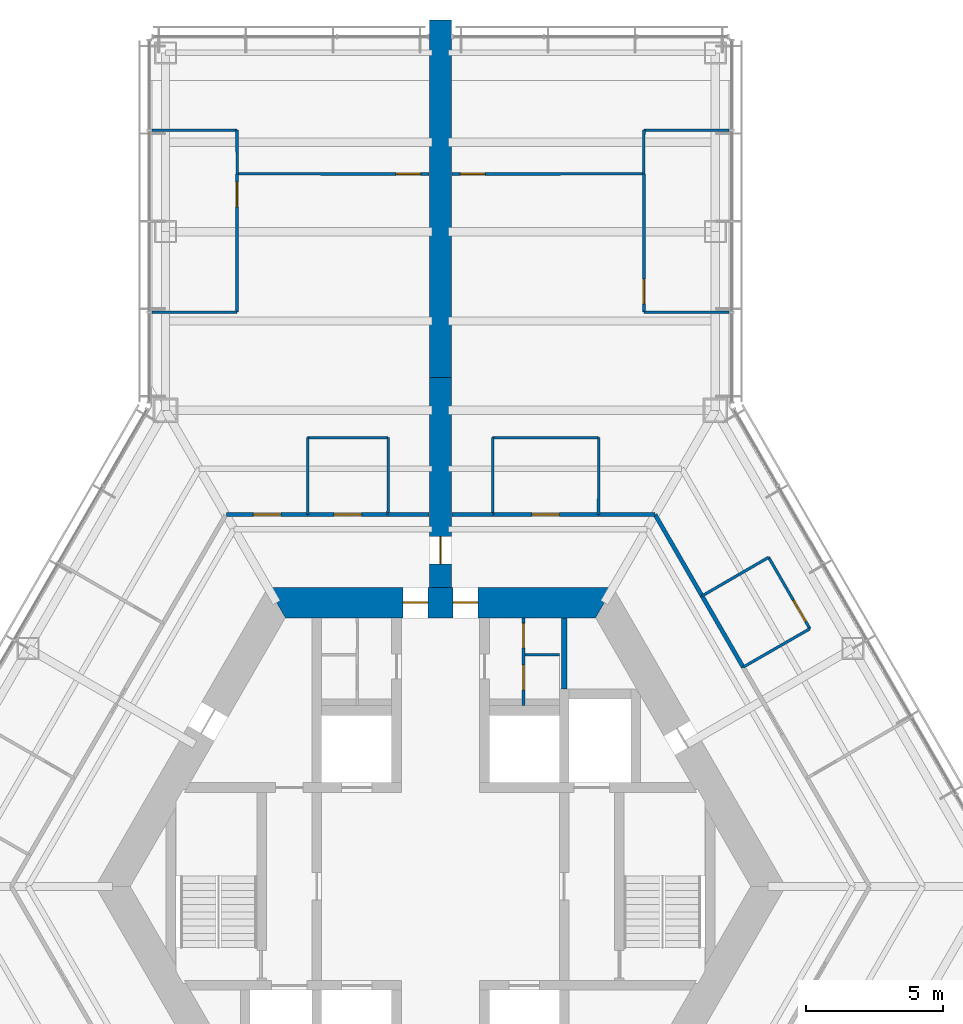
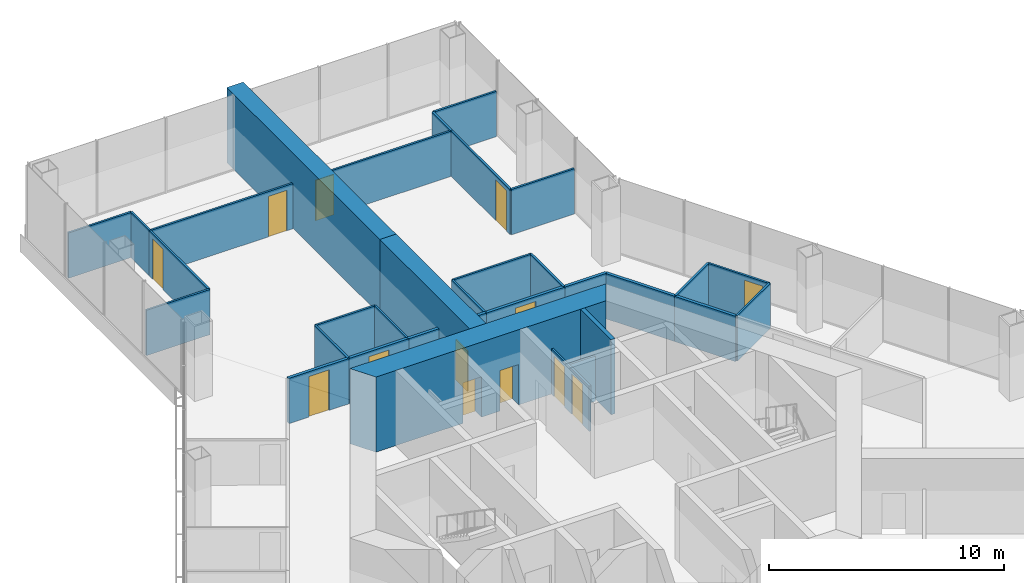
# One storey, part 15 of 18: 33 walls, 13 doors, 13 openings.
"""IFC4 building model written with IfcOpenShell, lengths in metres."""

from ifc_helpers import new_model, si_unit, direction, frame, frame_2d, origin, place, context, subcontext, project, spatial, polyline, rectangle, outline, extrude, material, layer, layer_set, type_object, element, fill, save


model = new_model("IFC4")

# Units and contexts
model_context = context("Model", 3, precision=1e-05, world=origin(), true_north=direction((0.0, 1.0)))
body_context = subcontext(model_context, "Body", "Model", "MODEL_VIEW")
ifc_project = project(units=[si_unit("LENGTHUNIT", "METRE"), si_unit("AREAUNIT", "SQUARE_METRE"), si_unit("VOLUMEUNIT", "CUBIC_METRE"), si_unit("PLANEANGLEUNIT", "RADIAN"), si_unit("MASSUNIT", "GRAM", prefix="KILO")], contexts=[model_context])

# Site, building, storey
site_placement = place(None, origin())
site = spatial("IfcSite", under=ifc_project, at=site_placement, CompositionType="ELEMENT")
building_placement = place(site_placement, origin())
building = spatial("IfcBuilding", under=site, at=building_placement, Name="Kasaneha Research Tower", CompositionType="ELEMENT")
storey_placement = place(building_placement, frame((0.0, 0.0, 119.699951171875)))
storey = spatial("IfcBuildingStorey", under=building, at=storey_placement, Name="L30", CompositionType="ELEMENT", Elevation=119.699951171875)

# Wall, openings, doors
ifc_material_1 = material(Name="Concrete Fc80", Category="concrete")
ifc_layer_1 = layer(ifc_material_1, 1.10009765625)
ifc_layer_set_1 = layer_set([ifc_layer_1], Name="Core wall 1100 Fc80")
wall_type_1 = type_object("IfcWallType", Name="Core wall 1100 Fc80", PredefinedType="SHEAR", material=ifc_layer_set_1)
wall_1_placement = place(storey_placement, frame((5.961181640625, 10.324951171875, 0.0), z_axis=(0.0, 0.0, 1.0), x_axis=(-1.0, 0.0, 0.0)))
wall_1 = element("IfcWall", 1, at=wall_1_placement, inside=storey, type_object=wall_type_1, Name="Core wall 090 L30", PredefinedType="SHEAR", context=body_context, shape_type="SweptSolid", body=[
    extrude(outline(polyline([(-0.317626953125, -0.550048828125), (4.5986328125, -0.550048828125), (5.49853515625, -0.550048828125), (6.423583984375, -0.550048828125), (7.323486328125, -0.550048828125), (12.239990234375, -0.550048828125), (11.604736328125, 0.550048828125), (7.323486328125, 0.550048828125), (6.423583984375, 0.550048828125), (5.49853515625, 0.550048828125), (4.5986328125, 0.550048828125), (0.317626953125, 0.550048828125), (-0.317626953125, -0.550048828125)])), origin(), (0.0, 0.0, 1.0), 3.900146484375),
])
opening_1_placement = place(wall_1_placement, frame((6.423583984375, 0.0, 0.0)))
opening_1 = element("IfcOpeningElement", 2, at=opening_1_placement, cuts=wall_1, Name="Opening L30-D01", PredefinedType="OPENING", context=body_context, shape_type="SweptSolid", body=[
    extrude(rectangle(XDim=0.89990234375, YDim=2.10009765625, at=frame_2d((0.449951171875, 1.050048828125))), frame((0.0, 0.56005859375, 0.0), z_axis=(0.0, -1.0, 0.0), x_axis=(1.0, 0.0, 0.0)), (0.0, 0.0, 1.0), 1.1201171875),
])
opening_2_placement = place(wall_1_placement, frame((4.5986328125, 0.0, 0.0)))
opening_2 = element("IfcOpeningElement", 3, at=opening_2_placement, cuts=wall_1, Name="Opening L30-D02", PredefinedType="OPENING", context=body_context, shape_type="SweptSolid", body=[
    extrude(rectangle(XDim=0.89990234375, YDim=2.10009765625, at=frame_2d((0.449951171875, 1.050048828125))), frame((0.0, 0.56005859375, 0.0), z_axis=(0.0, -1.0, 0.0), x_axis=(1.0, 0.0, 0.0)), (0.0, 0.0, 1.0), 1.1201171875),
])
ifc_material_2 = material(Name="Steel", Category="steel")
door_type_1 = type_object("IfcDoorType", Name="Toilet door FD20 900x2100", OperationType="NOTDEFINED", PredefinedType="DOOR", material=ifc_material_2)
door_1_placement = place(opening_1_placement, origin())
door_1 = element("IfcDoor", 4, at=door_1_placement, inside=storey, type_object=door_type_1, Name="Core door north 1 L30-D01", OperationType="SINGLE_SWING_RIGHT", OverallHeight=2.10009765625, OverallWidth=0.89990234375, PredefinedType="DOOR", context=body_context, shape_type="SweptSolid", body=[
    extrude(rectangle(XDim=0.89990234375, YDim=2.10009765625, at=frame_2d((0.449951171875, 1.050048828125))), frame((0.0, 0.02490234375, 0.0), z_axis=(0.0, -1.0, 0.0), x_axis=(1.0, 0.0, 0.0)), (0.0, 0.0, 1.0), 0.050048828125),
])
fill(opening_1, door_1)
door_2_placement = place(opening_2_placement, origin())
door_2 = element("IfcDoor", 5, at=door_2_placement, inside=storey, type_object=door_type_1, Name="Core door north 2 L30-D02", OperationType="SINGLE_SWING_LEFT", OverallHeight=2.10009765625, OverallWidth=0.89990234375, PredefinedType="DOOR", context=body_context, shape_type="SweptSolid", body=[
    extrude(rectangle(XDim=0.89990234375, YDim=2.10009765625, at=frame_2d((0.449951171875, 1.050048828125))), frame((0.0, 0.02490234375, 0.0), z_axis=(0.0, -1.0, 0.0), x_axis=(1.0, 0.0, 0.0)), (0.0, 0.0, 1.0), 0.050048828125),
])
fill(opening_2, door_2)

ifc_material_3 = material(Name="Gypsum board on steel studs, one layer each side", Category="steel")
ifc_layer_2 = layer(ifc_material_3, 0.10009765625)
ifc_layer_set_2 = layer_set([ifc_layer_2], Name="Office partition 100")
wall_type_2 = type_object("IfcWallType", Name="Office partition 100", PredefinedType="PARTITIONING", material=ifc_layer_set_2)
wall_2_placement = place(storey_placement, frame((3.02490234375, 6.574951171875, 0.0), z_axis=(0.0, 0.0, 1.0), x_axis=(0.0, 1.0, 0.0)))
wall_2 = element("IfcWall", 6, at=wall_2_placement, inside=storey, type_object=wall_type_2, Name="Office partition TBF1 L30", PredefinedType="PARTITIONING", context=body_context, shape_type="SweptSolid", body=[
    extrude(rectangle(XDim=3.199951171875, YDim=0.10009765625, at=frame_2d((1.60009765625, 0.0))), origin(), (0.0, 0.0, 1.0), 2.35009765625),
])
opening_3_placement = place(wall_2_placement, frame((0.574951171875, 0.0, 0.0)))
opening_3 = element("IfcOpeningElement", 7, at=opening_3_placement, cuts=wall_2, Name="Opening L30-D22", PredefinedType="OPENING", context=body_context, shape_type="SweptSolid", body=[
    extrude(rectangle(XDim=0.89990234375, YDim=2.10009765625, at=frame_2d((0.449951171875, 1.050048828125))), frame((0.0, 0.06005859375, 0.0), z_axis=(0.0, -1.0, 0.0), x_axis=(1.0, 0.0, 0.0)), (0.0, 0.0, 1.0), 0.1201171875),
])
opening_4_placement = place(wall_2_placement, frame((2.10009765625, 0.0, 0.0)))
opening_4 = element("IfcOpeningElement", 8, at=opening_4_placement, cuts=wall_2, Name="Opening L30-D23", PredefinedType="OPENING", context=body_context, shape_type="SweptSolid", body=[
    extrude(rectangle(XDim=0.89990234375, YDim=2.10009765625, at=frame_2d((0.449951171875, 1.050048828125))), frame((0.0, 0.06005859375, 0.0), z_axis=(0.0, -1.0, 0.0), x_axis=(1.0, 0.0, 0.0)), (0.0, 0.0, 1.0), 0.1201171875),
])
ifc_material_4 = material(Name="Steel", Category="steel")
door_type_2 = type_object("IfcDoorType", Name="Toilet lobby door FD30 900x2100", OperationType="NOTDEFINED", PredefinedType="DOOR", material=ifc_material_4)
door_3_placement = place(opening_3_placement, origin())
door_3 = element("IfcDoor", 9, at=door_3_placement, inside=storey, type_object=door_type_2, Name="Women's WC door L30-D22", OperationType="SINGLE_SWING_RIGHT", OverallHeight=2.10009765625, OverallWidth=0.89990234375, PredefinedType="DOOR", context=body_context, shape_type="SweptSolid", body=[
    extrude(rectangle(XDim=0.89990234375, YDim=2.10009765625, at=frame_2d((0.449951171875, 1.050048828125))), frame((0.0, 0.02490234375, 0.0), z_axis=(0.0, -1.0, 0.0), x_axis=(1.0, 0.0, 0.0)), (0.0, 0.0, 1.0), 0.050048828125),
])
fill(opening_3, door_3)
door_4_placement = place(opening_4_placement, origin())
door_4 = element("IfcDoor", 10, at=door_4_placement, inside=storey, type_object=door_type_2, Name="Parents' room door L30-D23", OperationType="SINGLE_SWING_RIGHT", OverallHeight=2.10009765625, OverallWidth=0.89990234375, PredefinedType="DOOR", context=body_context, shape_type="SweptSolid", body=[
    extrude(rectangle(XDim=0.89990234375, YDim=2.10009765625, at=frame_2d((0.449951171875, 1.050048828125))), frame((0.0, 0.02490234375, 0.0), z_axis=(0.0, -1.0, 0.0), x_axis=(1.0, 0.0, 0.0)), (0.0, 0.0, 1.0), 0.050048828125),
])
fill(opening_4, door_4)

# Walls
wall_3_placement = place(storey_placement, frame((3.074951171875, 8.425048828125, 0.0), z_axis=(0.0, 0.0, 1.0), x_axis=(1.0, 0.0, 0.0)))
element("IfcWall", 11, at=wall_3_placement, inside=storey, type_object=wall_type_2, Name="Office partition TBF2 L30", PredefinedType="PARTITIONING", context=body_context, shape_type="SweptSolid", body=[
    extrude(rectangle(XDim=1.25, YDim=0.10009765625, at=frame_2d((0.625, 0.0))), origin(), (0.0, 0.0, 1.0), 2.35009765625),
])
wall_4_placement = place(storey_placement, frame((1.89990234375, 16.324951171875, 0.0), z_axis=(0.0, 0.0, 1.0), x_axis=(1.0, 0.0, 0.0)))
element("IfcWall", 12, at=wall_4_placement, inside=storey, type_object=wall_type_2, Name="Office partition FAE08 L30", PredefinedType="PARTITIONING", context=body_context, shape_type="SweptSolid", body=[
    extrude(rectangle(XDim=3.857177734375, YDim=0.10009765625, at=frame_2d((1.9287109375, 0.0))), origin(), (0.0, 0.0, 1.0), 2.35009765625),
])
for number, where, z_axis, x_axis, name in (
    (13, (1.904541015625, 13.52490234375, 0.0), (0.0, 0.0, 1.0), (-0.001656637364, 0.999998627775, 0.0), "Office partition FAE09 L30"),
    (14, (5.757080078125, 16.324951171875, 0.0), (0.0, 0.0, 1.0), (-0.001656637364, -0.999998627775, 0.0), "Office partition FAE10 L30"),
    (15, (9.51513671875, 10.569091796875, 0.0), (0.0, 0.0, 1.0), (0.865255114713, 0.501331812737, 0.0), "Office partition FAE11 L30"),
):
    element("IfcWall", number, at=place(storey_placement, frame(where, z_axis=z_axis, x_axis=x_axis)), inside=storey, type_object=wall_type_2, Name=name, PredefinedType="PARTITIONING", context=body_context, shape_type="SweptSolid", body=[
        extrude(rectangle(XDim=2.800048828125, YDim=0.10009765625, at=frame_2d((1.39990234375, 0.0))), origin(), (0.0, 0.0, 1.0), 2.35009765625),
    ])

# Wall, opening, door
wall_5_placement = place(storey_placement, frame((11.93798828125, 11.972900390625, 0.0), z_axis=(0.0, 0.0, 1.0), x_axis=(0.50002537861, -0.866010750942, 0.0)))
wall_5 = element("IfcWall", 16, at=wall_5_placement, inside=storey, type_object=wall_type_2, Name="Office partition FAE12 L30", PredefinedType="PARTITIONING", context=body_context, shape_type="SweptSolid", body=[
    extrude(rectangle(XDim=2.999755859375, YDim=0.10009765625, at=frame_2d((1.5, 0.0))), origin(), (0.0, 0.0, 1.0), 2.35009765625),
])
opening_5_placement = place(wall_5_placement, frame((1.800048828125, 0.0, 0.0)))
opening_5 = element("IfcOpeningElement", 17, at=opening_5_placement, cuts=wall_5, Name="Opening L30-D26", PredefinedType="OPENING", context=body_context, shape_type="SweptSolid", body=[
    extrude(rectangle(XDim=0.89990234375, YDim=2.10009765625, at=frame_2d((0.449951171875, 1.050048828125))), frame((0.0, 0.06005859375, 0.0), z_axis=(0.0, -1.0, 0.0), x_axis=(1.0, 0.0, 0.0)), (0.0, 0.0, 1.0), 0.1201171875),
])
ifc_material_5 = material(Name="Timber veneer", Category="wood")
door_type_3 = type_object("IfcDoorType", Name="Office door 900x2100", OperationType="SINGLE_SWING_LEFT", PredefinedType="DOOR", material=ifc_material_5)
door_5_placement = place(opening_5_placement, origin())
door_5 = element("IfcDoor", 18, at=door_5_placement, inside=storey, type_object=door_type_3, Name="Pantry door L30-D26", OperationType="SINGLE_SWING_RIGHT", OverallHeight=2.10009765625, OverallWidth=0.89990234375, PredefinedType="DOOR", context=body_context, shape_type="SweptSolid", body=[
    extrude(rectangle(XDim=0.89990234375, YDim=2.10009765625, at=frame_2d((0.449951171875, 1.050048828125))), frame((0.0, 0.02490234375, 0.0), z_axis=(0.0, -1.0, 0.0), x_axis=(1.0, 0.0, 0.0)), (0.0, 0.0, 1.0), 0.050048828125),
])
fill(opening_5, door_5)

# Walls
wall_6_placement = place(storey_placement, frame((13.43798828125, 9.375, 0.0), z_axis=(0.0, 0.0, 1.0), x_axis=(-0.866817750494, -0.498625097071, 0.0)))
element("IfcWall", 19, at=wall_6_placement, inside=storey, type_object=wall_type_2, Name="Office partition FAE13 L30", PredefinedType="PARTITIONING", context=body_context, shape_type="SweptSolid", body=[
    extrude(rectangle(XDim=2.80029296875, YDim=0.10009765625, at=frame_2d((1.400146484375, 0.0))), origin(), (0.0, 0.0, 1.0), 2.35009765625),
])
wall_7_placement = place(storey_placement, frame((7.39990234375, 27.5107421875, 0.0), z_axis=(0.0, 0.0, 1.0), x_axis=(-0.003068411453, -0.999995292414, 0.0)))
element("IfcWall", 20, at=wall_7_placement, inside=storey, type_object=wall_type_2, Name="Office partition FAE14 L30", PredefinedType="PARTITIONING", context=body_context, shape_type="SweptSolid", body=[
    extrude(rectangle(XDim=1.59130859375, YDim=0.10009765625, at=frame_2d((0.795654296875, 0.0))), origin(), (0.0, 0.0, 1.0), 2.35009765625),
])
wall_8_placement = place(storey_placement, frame((10.5, 27.510986328125, 0.0), z_axis=(0.0, 0.0, 1.0), x_axis=(-0.999999996899, -7.8752559e-05, 0.0)))
element("IfcWall", 21, at=wall_8_placement, inside=storey, type_object=wall_type_2, Name="Office partition FAE15 L30", PredefinedType="PARTITIONING", context=body_context, shape_type="SweptSolid", body=[
    extrude(rectangle(XDim=3.10009765625, YDim=0.10009765625, at=frame_2d((1.550048828125, 0.0))), origin(), (0.0, 0.0, 1.0), 2.35009765625),
])

# Wall, opening, door
wall_9_placement = place(storey_placement, frame((7.399658203125, 25.924560546875, 0.0), z_axis=(0.0, 0.0, 1.0), x_axis=(-0.999999823205, -0.000594634195, 0.0)))
wall_9 = element("IfcWall", 22, at=wall_9_placement, inside=storey, type_object=wall_type_2, Name="Office partition FAE16 L30", PredefinedType="PARTITIONING", context=body_context, shape_type="SweptSolid", body=[
    extrude(rectangle(XDim=6.979736328125, YDim=0.10009765625, at=frame_2d((3.48974609375, 0.0))), origin(), (0.0, 0.0, 1.0), 2.35009765625),
])
opening_6_placement = place(wall_9_placement, frame((5.779541015625, 0.0, 0.0)))
opening_6 = element("IfcOpeningElement", 23, at=opening_6_placement, cuts=wall_9, Name="Opening L30-D27", PredefinedType="OPENING", context=body_context, shape_type="SweptSolid", body=[
    extrude(rectangle(XDim=0.89990234375, YDim=2.10009765625, at=frame_2d((0.449951171875, 1.050048828125))), frame((0.0, 0.06005859375, 0.0), z_axis=(0.0, -1.0, 0.0), x_axis=(1.0, 0.0, 0.0)), (0.0, 0.0, 1.0), 0.1201171875),
])
door_6_placement = place(opening_6_placement, origin())
door_6 = element("IfcDoor", 24, at=door_6_placement, inside=storey, type_object=door_type_3, Name="Board meeting room door L30-D27", OperationType="SINGLE_SWING_RIGHT", OverallHeight=2.10009765625, OverallWidth=0.89990234375, PredefinedType="DOOR", context=body_context, shape_type="SweptSolid", body=[
    extrude(rectangle(XDim=0.89990234375, YDim=2.10009765625, at=frame_2d((0.449951171875, 1.050048828125))), frame((0.0, 0.02490234375, 0.0), z_axis=(0.0, -1.0, 0.0), x_axis=(1.0, 0.0, 0.0)), (0.0, 0.0, 1.0), 0.050048828125),
])
fill(opening_6, door_6)

wall_10_placement = place(storey_placement, frame((7.39990234375, 20.89111328125, 0.0), z_axis=(0.0, 0.0, 1.0), x_axis=(0.0, 1.0, 0.0)))
wall_10 = element("IfcWall", 25, at=wall_10_placement, inside=storey, type_object=wall_type_2, Name="Office partition FAE18 L30", PredefinedType="PARTITIONING", context=body_context, shape_type="SweptSolid", body=[
    extrude(rectangle(XDim=5.033447265625, YDim=0.10009765625, at=frame_2d((2.5166015625, 0.0))), origin(), (0.0, 0.0, 1.0), 2.35009765625),
])
opening_7_placement = place(wall_10_placement, frame((0.300048828125, 0.0, 0.0)))
opening_7 = element("IfcOpeningElement", 26, at=opening_7_placement, cuts=wall_10, Name="Opening L30-D29", PredefinedType="OPENING", context=body_context, shape_type="SweptSolid", body=[
    extrude(rectangle(XDim=0.89990234375, YDim=2.10009765625, at=frame_2d((0.449951171875, 1.050048828125))), frame((0.0, 0.06005859375, 0.0), z_axis=(0.0, -1.0, 0.0), x_axis=(1.0, 0.0, 0.0)), (0.0, 0.0, 1.0), 0.1201171875),
])
door_7_placement = place(opening_7_placement, origin())
door_7 = element("IfcDoor", 27, at=door_7_placement, inside=storey, type_object=door_type_3, Name="Manager's office door L30-D29", OperationType="SINGLE_SWING_LEFT", OverallHeight=2.10009765625, OverallWidth=0.89990234375, PredefinedType="DOOR", context=body_context, shape_type="SweptSolid", body=[
    extrude(rectangle(XDim=0.89990234375, YDim=2.10009765625, at=frame_2d((0.449951171875, 1.050048828125))), frame((0.0, 0.02490234375, 0.0), z_axis=(0.0, -1.0, 0.0), x_axis=(1.0, 0.0, 0.0)), (0.0, 0.0, 1.0), 0.050048828125),
])
fill(opening_7, door_7)

# Walls
wall_11_placement = place(storey_placement, frame((10.5, 20.89111328125, 0.0), z_axis=(0.0, 0.0, 1.0), x_axis=(-1.0, 0.0, 0.0)))
element("IfcWall", 28, at=wall_11_placement, inside=storey, type_object=wall_type_2, Name="Office partition FAE19 L30", PredefinedType="PARTITIONING", context=body_context, shape_type="SweptSolid", body=[
    extrude(rectangle(XDim=3.10009765625, YDim=0.10009765625, at=frame_2d((1.550048828125, 0.0))), origin(), (0.0, 0.0, 1.0), 2.35009765625),
])
wall_12_placement = place(storey_placement, frame((-4.8291015625, 16.324951171875, 0.0), z_axis=(0.0, 0.0, 1.0), x_axis=(1.0, 0.0, 0.0)))
element("IfcWall", 29, at=wall_12_placement, inside=storey, type_object=wall_type_2, Name="Office partition FAW04 L30", PredefinedType="PARTITIONING", context=body_context, shape_type="SweptSolid", body=[
    extrude(rectangle(XDim=2.92919921875, YDim=0.10009765625, at=frame_2d((1.464599609375, 0.0))), origin(), (0.0, 0.0, 1.0), 2.35009765625),
])
for number, where, z_axis, x_axis, name in (
    (30, (-4.824462890625, 13.52490234375, 0.0), (0.0, 0.0, 1.0), (-0.001656637364, 0.999998627775, 0.0), "Office partition FAW05 L30"),
    (31, (-1.89990234375, 16.324951171875, 0.0), (0.0, 0.0, 1.0), (-0.001656637364, -0.999998627775, 0.0), "Office partition FAW06 L30"),
):
    element("IfcWall", number, at=place(storey_placement, frame(where, z_axis=z_axis, x_axis=x_axis)), inside=storey, type_object=wall_type_2, Name=name, PredefinedType="PARTITIONING", context=body_context, shape_type="SweptSolid", body=[
        extrude(rectangle(XDim=2.800048828125, YDim=0.10009765625, at=frame_2d((1.39990234375, 0.0))), origin(), (0.0, 0.0, 1.0), 2.35009765625),
    ])
wall_13_placement = place(storey_placement, frame((-7.39990234375, 27.5107421875, 0.0), z_axis=(0.0, 0.0, 1.0), x_axis=(-0.999999996899, 7.8752559e-05, 0.0)))
element("IfcWall", 32, at=wall_13_placement, inside=storey, type_object=wall_type_2, Name="Office partition FAW07 L30", PredefinedType="PARTITIONING", context=body_context, shape_type="SweptSolid", body=[
    extrude(rectangle(XDim=3.10009765625, YDim=0.10009765625, at=frame_2d((1.550048828125, 0.0))), origin(), (0.0, 0.0, 1.0), 2.35009765625),
])
wall_14_placement = place(storey_placement, frame((-7.39501953125, 25.91943359375, 0.0), z_axis=(0.0, 0.0, 1.0), x_axis=(-0.003068411453, 0.999995292414, 0.0)))
element("IfcWall", 33, at=wall_14_placement, inside=storey, type_object=wall_type_2, Name="Office partition FAW08 L30", PredefinedType="PARTITIONING", context=body_context, shape_type="SweptSolid", body=[
    extrude(rectangle(XDim=1.59130859375, YDim=0.10009765625, at=frame_2d((0.795654296875, 0.0))), origin(), (0.0, 0.0, 1.0), 2.35009765625),
])

# Wall, opening, door
wall_15_placement = place(storey_placement, frame((-0.419921875, 25.92041015625, 0.0), z_axis=(0.0, 0.0, 1.0), x_axis=(-0.999999823205, 0.000594634195, 0.0)))
wall_15 = element("IfcWall", 34, at=wall_15_placement, inside=storey, type_object=wall_type_2, Name="Office partition FAW09 L30", PredefinedType="PARTITIONING", context=body_context, shape_type="SweptSolid", body=[
    extrude(rectangle(XDim=6.979736328125, YDim=0.10009765625, at=frame_2d((3.48974609375, 0.0))), origin(), (0.0, 0.0, 1.0), 2.35009765625),
])
opening_8_placement = place(wall_15_placement, frame((0.300048828125, 0.0, 0.0)))
opening_8 = element("IfcOpeningElement", 35, at=opening_8_placement, cuts=wall_15, Name="Opening L30-D32", PredefinedType="OPENING", context=body_context, shape_type="SweptSolid", body=[
    extrude(rectangle(XDim=0.89990234375, YDim=2.10009765625, at=frame_2d((0.449951171875, 1.050048828125))), frame((0.0, 0.06005859375, 0.0), z_axis=(0.0, -1.0, 0.0), x_axis=(1.0, 0.0, 0.0)), (0.0, 0.0, 1.0), 0.1201171875),
])
door_8_placement = place(opening_8_placement, origin())
door_8 = element("IfcDoor", 36, at=door_8_placement, inside=storey, type_object=door_type_3, Name="Large meeting room door L30-D32", OperationType="SINGLE_SWING_LEFT", OverallHeight=2.10009765625, OverallWidth=0.89990234375, PredefinedType="DOOR", context=body_context, shape_type="SweptSolid", body=[
    extrude(rectangle(XDim=0.89990234375, YDim=2.10009765625, at=frame_2d((0.449951171875, 1.050048828125))), frame((0.0, 0.02490234375, 0.0), z_axis=(0.0, -1.0, 0.0), x_axis=(1.0, 0.0, 0.0)), (0.0, 0.0, 1.0), 0.050048828125),
])
fill(opening_8, door_8)

# Wall
wall_16_placement = place(storey_placement, frame((-7.39990234375, 20.89111328125, 0.0), z_axis=(0.0, 0.0, 1.0), x_axis=(-1.0, 0.0, 0.0)))
element("IfcWall", 37, at=wall_16_placement, inside=storey, type_object=wall_type_2, Name="Office partition FAW10 L30", PredefinedType="PARTITIONING", context=body_context, shape_type="SweptSolid", body=[
    extrude(rectangle(XDim=3.10009765625, YDim=0.10009765625, at=frame_2d((1.550048828125, 0.0))), origin(), (0.0, 0.0, 1.0), 2.35009765625),
])

# Wall, opening, door
wall_17_placement = place(storey_placement, frame((-7.39990234375, 25.924560546875, 0.0), z_axis=(0.0, 0.0, 1.0), x_axis=(0.0, -1.0, 0.0)))
wall_17 = element("IfcWall", 38, at=wall_17_placement, inside=storey, type_object=wall_type_2, Name="Office partition FAW11 L30", PredefinedType="PARTITIONING", context=body_context, shape_type="SweptSolid", body=[
    extrude(rectangle(XDim=5.033447265625, YDim=0.10009765625, at=frame_2d((2.5166015625, 0.0))), origin(), (0.0, 0.0, 1.0), 2.35009765625),
])
opening_9_placement = place(wall_17_placement, frame((0.300048828125, 0.0, 0.0)))
opening_9 = element("IfcOpeningElement", 39, at=opening_9_placement, cuts=wall_17, Name="Opening L30-D33", PredefinedType="OPENING", context=body_context, shape_type="SweptSolid", body=[
    extrude(rectangle(XDim=0.89990234375, YDim=2.10009765625, at=frame_2d((0.449951171875, 1.050048828125))), frame((0.0, 0.06005859375, 0.0), z_axis=(0.0, -1.0, 0.0), x_axis=(1.0, 0.0, 0.0)), (0.0, 0.0, 1.0), 0.1201171875),
])
door_9_placement = place(opening_9_placement, origin())
door_9 = element("IfcDoor", 40, at=door_9_placement, inside=storey, type_object=door_type_3, Name="Manager's office door L30-D33", OperationType="SINGLE_SWING_LEFT", OverallHeight=2.10009765625, OverallWidth=0.89990234375, PredefinedType="DOOR", context=body_context, shape_type="SweptSolid", body=[
    extrude(rectangle(XDim=0.89990234375, YDim=2.10009765625, at=frame_2d((0.449951171875, 1.050048828125))), frame((0.0, 0.02490234375, 0.0), z_axis=(0.0, -1.0, 0.0), x_axis=(1.0, 0.0, 0.0)), (0.0, 0.0, 1.0), 0.050048828125),
])
fill(opening_9, door_9)

# Wall
ifc_material_6 = material(Name="Concrete block", Category="concrete")
ifc_layer_3 = layer(ifc_material_6, 0.199951171875)
ifc_layer_set_3 = layer_set([ifc_layer_3], Name="Riser enclosure wall 200")
wall_type_3 = type_object("IfcWallType", Name="Riser enclosure wall 200", PredefinedType="STANDARD", material=ifc_layer_set_3)
wall_18_placement = place(storey_placement, frame((4.5, 7.175048828125, 0.0), z_axis=(0.0, 0.0, 1.0), x_axis=(0.0, 1.0, 0.0)))
element("IfcWall", 41, at=wall_18_placement, inside=storey, type_object=wall_type_3, Name="Riser enclosure wall L30", PredefinedType="STANDARD", context=body_context, shape_type="SweptSolid", body=[
    extrude(rectangle(XDim=2.599853515625, YDim=0.199951171875, at=frame_2d((1.2998046875, 0.0))), origin(), (0.0, 0.0, 1.0), 3.900146484375),
])

# Wall, opening, door
ifc_material_7 = material(Name="Concrete Fc80", Category="concrete")
ifc_layer_4 = layer(ifc_material_7, 0.800048828125)
ifc_layer_set_4 = layer_set([ifc_layer_4], Name="Spine wall 800 Fc80")
wall_type_4 = type_object("IfcWallType", Name="Spine wall 800 Fc80", PredefinedType="SHEAR", material=ifc_layer_set_4)
wall_19_placement = place(storey_placement, frame((0.0, 10.875, 0.0), z_axis=(0.0, 0.0, 1.0), x_axis=(0.0, 1.0, 0.0)))
wall_19 = element("IfcWall", 42, at=wall_19_placement, inside=storey, type_object=wall_type_4, Name="Spine wall A L30", PredefinedType="SHEAR", context=body_context, shape_type="SweptSolid", body=[
    extrude(rectangle(XDim=7.6455078125, YDim=0.800048828125, at=frame_2d((3.82275390625, 0.0))), origin(), (0.0, 0.0, 1.0), 3.900146484375),
])
opening_10_placement = place(wall_19_placement, frame((0.85009765625, 0.0, 0.0)))
opening_10 = element("IfcOpeningElement", 43, at=opening_10_placement, cuts=wall_19, Name="Opening L30-D17", PredefinedType="OPENING", context=body_context, shape_type="SweptSolid", body=[
    extrude(rectangle(XDim=1.0, YDim=2.10009765625, at=frame_2d((0.5, 1.050048828125))), frame((0.0, 0.41015625, 0.0), z_axis=(0.0, -1.0, 0.0), x_axis=(1.0, 0.0, 0.0)), (0.0, 0.0, 1.0), 0.820068359375),
])
ifc_material_8 = material(Name="Steel", Category="steel")
door_type_4 = type_object("IfcDoorType", Name="Specified fire door FD60 1000x2100", OperationType="NOTDEFINED", PredefinedType="DOOR", material=ifc_material_8)
door_10_placement = place(opening_10_placement, origin())
door_10 = element("IfcDoor", 44, at=door_10_placement, inside=storey, type_object=door_type_4, Name="Spine doorway A L30-D17", OperationType="SINGLE_SWING_LEFT", OverallHeight=2.10009765625, OverallWidth=1.0, PredefinedType="DOOR", context=body_context, shape_type="SweptSolid", body=[
    extrude(rectangle(XDim=1.0, YDim=2.10009765625, at=frame_2d((0.5, 1.050048828125))), frame((0.0, 0.02490234375, 0.0), z_axis=(0.0, -1.0, 0.0), x_axis=(1.0, 0.0, 0.0)), (0.0, 0.0, 1.0), 0.050048828125),
])
fill(opening_10, door_10)

# Wall
wall_20_placement = place(storey_placement, frame((0.0, 18.5205078125, 0.0), z_axis=(0.0, 0.0, 1.0), x_axis=(0.0, 1.0, 0.0)))
element("IfcWall", 45, at=wall_20_placement, inside=storey, type_object=wall_type_4, Name="Spine wall A wing L30", PredefinedType="SHEAR", context=body_context, shape_type="SweptSolid", body=[
    extrude(rectangle(XDim=13.0, YDim=0.800048828125, at=frame_2d((6.5, 0.0))), origin(), (0.0, 0.0, 1.0), 3.900146484375),
])

# Wall, opening, door
ifc_material_9 = material(Name="Gypsum board on steel studs, two layers each side", Category="steel")
ifc_layer_5 = layer(ifc_material_9, 0.14990234375)
ifc_layer_set_5 = layer_set([ifc_layer_5], Name="Suite partition 150")
wall_type_5 = type_object("IfcWallType", Name="Suite partition 150", PredefinedType="PARTITIONING", material=ifc_layer_set_5)
wall_21_placement = place(storey_placement, frame((1.89501953125, 13.52490234375, 0.0), z_axis=(0.0, 0.0, 1.0), x_axis=(1.0, 0.0, 0.0)))
wall_21 = element("IfcWall", 46, at=wall_21_placement, inside=storey, type_object=wall_type_5, Name="Suite partition FAE01 L30", PredefinedType="PARTITIONING", context=body_context, shape_type="SweptSolid", body=[
    extrude(rectangle(XDim=3.866943359375, YDim=0.14990234375, at=frame_2d((1.93359375, 0.0))), origin(), (0.0, 0.0, 1.0), 2.35009765625),
])
opening_11_placement = place(wall_21_placement, frame((1.43359375, 0.0, 0.0)))
opening_11 = element("IfcOpeningElement", 47, at=opening_11_placement, cuts=wall_21, Name="Opening L30-D24", PredefinedType="OPENING", context=body_context, shape_type="SweptSolid", body=[
    extrude(rectangle(XDim=1.0, YDim=2.10009765625, at=frame_2d((0.5, 1.050048828125))), frame((0.0, 0.0849609375, 0.0), z_axis=(0.0, -1.0, 0.0), x_axis=(1.0, 0.0, 0.0)), (0.0, 0.0, 1.0), 0.169921875),
])
ifc_material_10 = material(Name="Steel", Category="steel")
door_type_5 = type_object("IfcDoorType", Name="Suite entrance door FD60 1000x2100", OperationType="NOTDEFINED", PredefinedType="DOOR", material=ifc_material_10)
door_11_placement = place(opening_11_placement, origin())
door_11 = element("IfcDoor", 48, at=door_11_placement, inside=storey, type_object=door_type_5, Name="Suite entrance door L30-D24", OperationType="SINGLE_SWING_LEFT", OverallHeight=2.10009765625, OverallWidth=1.0, PredefinedType="DOOR", context=body_context, shape_type="SweptSolid", body=[
    extrude(rectangle(XDim=1.0, YDim=2.10009765625, at=frame_2d((0.5, 1.050048828125))), frame((0.0, 0.02490234375, 0.0), z_axis=(0.0, -1.0, 0.0), x_axis=(1.0, 0.0, 0.0)), (0.0, 0.0, 1.0), 0.050048828125),
])
fill(opening_11, door_11)

# Walls
wall_22_placement = place(storey_placement, frame((9.510498046875, 10.577392578125, 0.0), z_axis=(0.0, 0.0, 1.0), x_axis=(0.499977562641, -0.866038357612, 0.0)))
element("IfcWall", 49, at=wall_22_placement, inside=storey, type_object=wall_type_5, Name="Suite partition FAE02 L30", PredefinedType="PARTITIONING", context=body_context, shape_type="SweptSolid", body=[
    extrude(rectangle(XDim=3.010009765625, YDim=0.14990234375, at=frame_2d((1.5048828125, 0.0))), origin(), (0.0, 0.0, 1.0), 2.35009765625),
])
wall_23_placement = place(storey_placement, frame((0.419921875, 13.52490234375, 0.0), z_axis=(0.0, 0.0, 1.0), x_axis=(1.0, 0.0, 0.0)))
element("IfcWall", 50, at=wall_23_placement, inside=storey, type_object=wall_type_5, Name="Suite partition FAE04 L30", PredefinedType="PARTITIONING", context=body_context, shape_type="SweptSolid", body=[
    extrude(rectangle(XDim=1.484619140625, YDim=0.14990234375, at=frame_2d((0.7421875, 0.0))), origin(), (0.0, 0.0, 1.0), 2.35009765625),
])
wall_24_placement = place(storey_placement, frame((5.75244140625, 13.52490234375, 0.0), z_axis=(0.0, 0.0, 1.0), x_axis=(1.0, 0.0, 0.0)))
element("IfcWall", 51, at=wall_24_placement, inside=storey, type_object=wall_type_5, Name="Suite partition FAE05 L30", PredefinedType="PARTITIONING", context=body_context, shape_type="SweptSolid", body=[
    extrude(rectangle(XDim=2.05615234375, YDim=0.14990234375, at=frame_2d((1.028076171875, 0.0))), origin(), (0.0, 0.0, 1.0), 2.35009765625),
])
wall_25_placement = place(storey_placement, frame((7.80859375, 13.52490234375, 0.0), z_axis=(0.0, 0.0, 1.0), x_axis=(0.500001088571, -0.866024775297, 0.0)))
element("IfcWall", 52, at=wall_25_placement, inside=storey, type_object=wall_type_5, Name="Suite partition FAE06 L30", PredefinedType="PARTITIONING", context=body_context, shape_type="SweptSolid", body=[
    extrude(rectangle(XDim=3.4130859375, YDim=0.14990234375, at=frame_2d((1.70654296875, 0.0))), origin(), (0.0, 0.0, 1.0), 2.35009765625),
])

# Wall, opening, door
wall_26_placement = place(storey_placement, frame((-4.833984375, 13.52490234375, 0.0), z_axis=(0.0, 0.0, 1.0), x_axis=(1.0, 0.0, 0.0)))
wall_26 = element("IfcWall", 53, at=wall_26_placement, inside=storey, type_object=wall_type_5, Name="Suite partition FAW01 L30", PredefinedType="PARTITIONING", context=body_context, shape_type="SweptSolid", body=[
    extrude(rectangle(XDim=2.93896484375, YDim=0.14990234375, at=frame_2d((1.469482421875, 0.0))), origin(), (0.0, 0.0, 1.0), 2.35009765625),
])
opening_12_placement = place(wall_26_placement, frame((0.969482421875, 0.0, 0.0)))
opening_12 = element("IfcOpeningElement", 54, at=opening_12_placement, cuts=wall_26, Name="Opening L30-D30", PredefinedType="OPENING", context=body_context, shape_type="SweptSolid", body=[
    extrude(rectangle(XDim=1.0, YDim=2.10009765625, at=frame_2d((0.5, 1.050048828125))), frame((0.0, 0.0849609375, 0.0), z_axis=(0.0, -1.0, 0.0), x_axis=(1.0, 0.0, 0.0)), (0.0, 0.0, 1.0), 0.169921875),
])
door_12_placement = place(opening_12_placement, origin())
door_12 = element("IfcDoor", 55, at=door_12_placement, inside=storey, type_object=door_type_5, Name="Suite entrance door L30-D30", OperationType="SINGLE_SWING_RIGHT", OverallHeight=2.10009765625, OverallWidth=1.0, PredefinedType="DOOR", context=body_context, shape_type="SweptSolid", body=[
    extrude(rectangle(XDim=1.0, YDim=2.10009765625, at=frame_2d((0.5, 1.050048828125))), frame((0.0, 0.02490234375, 0.0), z_axis=(0.0, -1.0, 0.0), x_axis=(1.0, 0.0, 0.0)), (0.0, 0.0, 1.0), 0.050048828125),
])
fill(opening_12, door_12)

wall_27_placement = place(storey_placement, frame((-7.78564453125, 13.52490234375, 0.0), z_axis=(0.0, 0.0, 1.0), x_axis=(1.0, 0.0, 0.0)))
wall_27 = element("IfcWall", 56, at=wall_27_placement, inside=storey, type_object=wall_type_5, Name="Suite partition FAW02 L30", PredefinedType="PARTITIONING", context=body_context, shape_type="SweptSolid", body=[
    extrude(rectangle(XDim=2.961181640625, YDim=0.14990234375, at=frame_2d((1.48046875, 0.0))), origin(), (0.0, 0.0, 1.0), 2.35009765625),
])
opening_13_placement = place(wall_27_placement, frame((0.980712890625, 0.0, 0.0)))
opening_13 = element("IfcOpeningElement", 57, at=opening_13_placement, cuts=wall_27, Name="Opening L30-D31", PredefinedType="OPENING", context=body_context, shape_type="SweptSolid", body=[
    extrude(rectangle(XDim=1.0, YDim=2.10009765625, at=frame_2d((0.5, 1.050048828125))), frame((0.0, 0.0849609375, 0.0), z_axis=(0.0, -1.0, 0.0), x_axis=(1.0, 0.0, 0.0)), (0.0, 0.0, 1.0), 0.169921875),
])
door_13_placement = place(opening_13_placement, origin())
door_13 = element("IfcDoor", 58, at=door_13_placement, inside=storey, type_object=door_type_5, Name="Suite entrance door L30-D31", OperationType="SINGLE_SWING_RIGHT", OverallHeight=2.10009765625, OverallWidth=1.0, PredefinedType="DOOR", context=body_context, shape_type="SweptSolid", body=[
    extrude(rectangle(XDim=1.0, YDim=2.10009765625, at=frame_2d((0.5, 1.050048828125))), frame((0.0, 0.02490234375, 0.0), z_axis=(0.0, -1.0, 0.0), x_axis=(1.0, 0.0, 0.0)), (0.0, 0.0, 1.0), 0.050048828125),
])
fill(opening_13, door_13)

# Wall
wall_28_placement = place(storey_placement, frame((-1.904541015625, 13.52490234375, 0.0), z_axis=(0.0, 0.0, 1.0), x_axis=(1.0, 0.0, 0.0)))
element("IfcWall", 59, at=wall_28_placement, inside=storey, type_object=wall_type_5, Name="Suite partition FAW03 L30", PredefinedType="PARTITIONING", context=body_context, shape_type="SweptSolid", body=[
    extrude(rectangle(XDim=1.484619140625, YDim=0.14990234375, at=frame_2d((0.7421875, 0.0))), origin(), (0.0, 0.0, 1.0), 2.35009765625),
])

save(model, "model.ifc")
